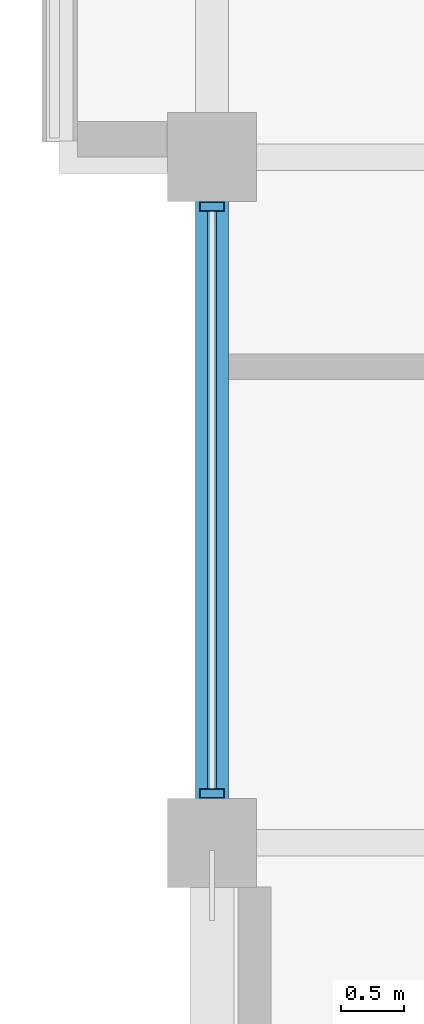
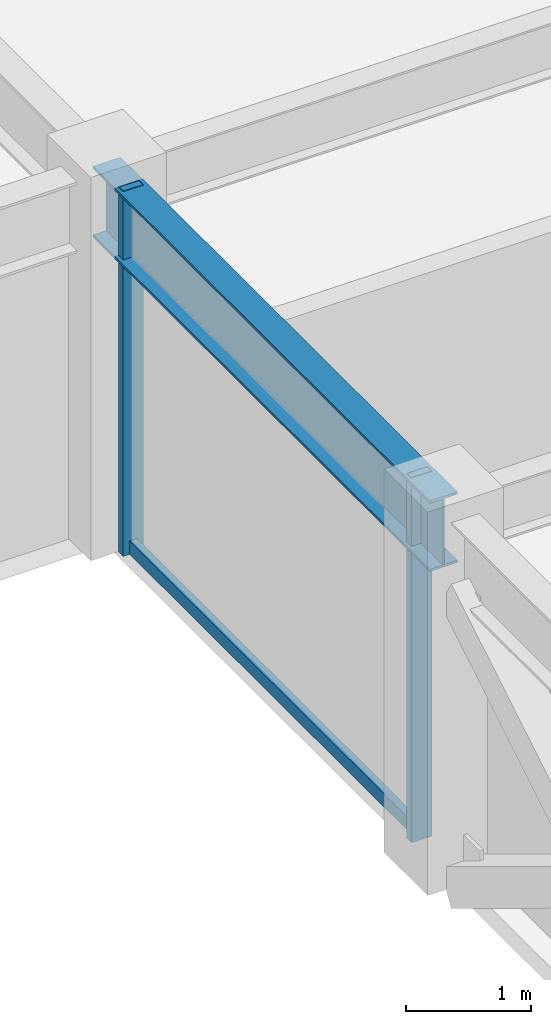
# One storey, part 4 of 30: 3 members, 1 beam, 1 element without a shape of its own.
"""IFC4 building model written with IfcOpenShell, lengths in metres."""

from ifc_helpers import new_model, si_unit, direction, frame, origin, origin_2d, place, context, subcontext, project, spatial, hollow_rectangle, i_section, extrude, material, layer, layer_set, material_profile, profile_set, type_object, element, aggregate, save


model = new_model("IFC4")

# Units and contexts
model_context = context("Model", 3, precision=1e-05, world=origin(), true_north=direction((0.0, 1.0)))
body_context = subcontext(model_context, "Body", "Model", "MODEL_VIEW")
ifc_project = project(units=[si_unit("LENGTHUNIT", "METRE"), si_unit("AREAUNIT", "SQUARE_METRE"), si_unit("VOLUMEUNIT", "CUBIC_METRE"), si_unit("PLANEANGLEUNIT", "RADIAN"), si_unit("MASSUNIT", "GRAM", prefix="KILO")], contexts=[model_context])

# Site, building, storey
site_placement = place(None, origin())
site = spatial("IfcSite", under=ifc_project, at=site_placement, CompositionType="ELEMENT")
building_placement = place(site_placement, origin())
building = spatial("IfcBuilding", under=site, at=building_placement, Name="Surkhivell Harbour Commons", CompositionType="ELEMENT")
storey_placement = place(building_placement, frame((0.0, 0.0, 307.5)))
storey = spatial("IfcBuildingStorey", under=building, at=storey_placement, Name="L80", CompositionType="ELEMENT", Elevation=307.5)

# Beam
ifc_material_1 = material(Name="Steel S355", Category="steel")
ifc_material_profile_1 = material_profile(ifc_material_1, i_section(OverallWidth=0.256103515625, OverallDepth=0.693115234375, WebThickness=0.014404296875, FlangeThickness=0.023681640625, at=origin_2d()), Name="UB686x254x170")
ifc_profile_set_1 = profile_set([ifc_material_profile_1], Name="Steel S355")
beam_type = type_object("IfcBeamType", Name="BM-SPN-686", PredefinedType="SPANDREL", material=ifc_profile_set_1)
beam_placement = place(storey_placement, frame((-27.0, -10.800048828125, 3.223388671875), z_axis=(0.0, 1.0, 0.0), x_axis=(-1.0, 0.0, 0.0)))
element("IfcBeam", 1, at=beam_placement, inside=storey, type_object=beam_type, Name="L80 Tube Spandrel (-27.0,-10.8)", PredefinedType="SPANDREL", context=body_context, shape_type="SweptSolid", body=[
    extrude(i_section(OverallWidth=0.256103515625, OverallDepth=0.693115234375, WebThickness=0.014404296875, FlangeThickness=0.023681640625, at=origin_2d()), origin(), (0.0, 0.0, 1.0), 5.400146484375),
])

# Curtain wall, members
ifc_material_2 = material(Name="Anodised pale-metal aluminium and insulated glazing", Category="aluminium")
ifc_layer = layer(ifc_material_2, 0.175048828125)
ifc_layer_set = layer_set([ifc_layer], Name="Anodised pale-metal aluminium and insulated glazing")
curtain_wall_type = type_object("IfcCurtainWallType", Name="CW-SYS-Z4", PredefinedType="NOTDEFINED", material=ifc_layer_set)
curtain_wall_placement = place(storey_placement, origin())
curtain_wall = element("IfcCurtainWall", 2, at=curtain_wall_placement, inside=storey, type_object=curtain_wall_type, Name="L80 Curtain Wall CW-L80-E12R1S1", PredefinedType="NOTDEFINED")
ifc_material_3 = material(Name="Anodised pale-metal aluminium alloy 6063-T6", Category="aluminium")
ifc_material_profile_2 = material_profile(ifc_material_3, hollow_rectangle(XDim=0.074951171875, YDim=0.18994140625, WallThickness=0.00390625, at=origin_2d()), Name="ALU-MULL-75x190")
ifc_profile_set_2 = profile_set([ifc_material_profile_2], Name="Anodised pale-metal aluminium alloy 6063-T6")
member_type_1 = type_object("IfcMemberType", Name="CWM-190", PredefinedType="MULLION", material=ifc_profile_set_2)
member_1_placement = place(storey_placement, frame((-27.0, -10.410400390625, 0.0), z_axis=(0.0, 0.0, 1.0), x_axis=(0.0, 1.0, 0.0)))
member_1 = element("IfcMember", 3, at=member_1_placement, type_object=member_type_1, Name="CW-Z4 mullion 1", PredefinedType="MULLION", context=body_context, shape_type="SweptSolid", body=[
    extrude(hollow_rectangle(XDim=0.074951171875, YDim=0.18994140625, WallThickness=0.00390625, at=origin_2d()), origin(), (0.0, 0.0, 1.0), 3.570068359375),
])
member_2_placement = place(storey_placement, frame((-27.0, -5.78955078125, 0.0), z_axis=(0.0, 0.0, 1.0), x_axis=(0.0, 1.0, 0.0)))
member_2 = element("IfcMember", 4, at=member_2_placement, type_object=member_type_1, Name="CW-Z4 mullion 2", PredefinedType="MULLION", context=body_context, shape_type="SweptSolid", body=[
    extrude(hollow_rectangle(XDim=0.074951171875, YDim=0.18994140625, WallThickness=0.00390625, at=origin_2d()), origin(), (0.0, 0.0, 1.0), 3.570068359375),
])
ifc_material_4 = material(Name="Champagne anodised aluminium alloy 6063-T6", Category="aluminium")
ifc_material_profile_3 = material_profile(ifc_material_4, hollow_rectangle(XDim=0.070068359375, YDim=0.1298828125, WallThickness=0.00341796875, at=origin_2d()), Name="ALU-TRAN-70x130")
ifc_profile_set_3 = profile_set([ifc_material_profile_3], Name="Champagne anodised aluminium alloy 6063-T6")
member_type_2 = type_object("IfcMemberType", Name="CWT-130", PredefinedType="USERDEFINED", material=ifc_profile_set_3)
member_3_placement = place(storey_placement, frame((-27.0, -10.373046875, 0.06494140625), z_axis=(0.0, 1.0, 0.0), x_axis=(-1.0, 0.0, 0.0)))
member_3 = element("IfcMember", 5, at=member_3_placement, type_object=member_type_2, Name="CW-Z4 transom 1.1", ObjectType="TRANSOM", PredefinedType="USERDEFINED", context=body_context, shape_type="SweptSolid", body=[
    extrude(hollow_rectangle(XDim=0.070068359375, YDim=0.1298828125, WallThickness=0.00341796875, at=origin_2d()), origin(), (0.0, 0.0, 1.0), 4.546142578125),
])
aggregate(curtain_wall, [member_1, member_2, member_3])

save(model, "model.ifc")
